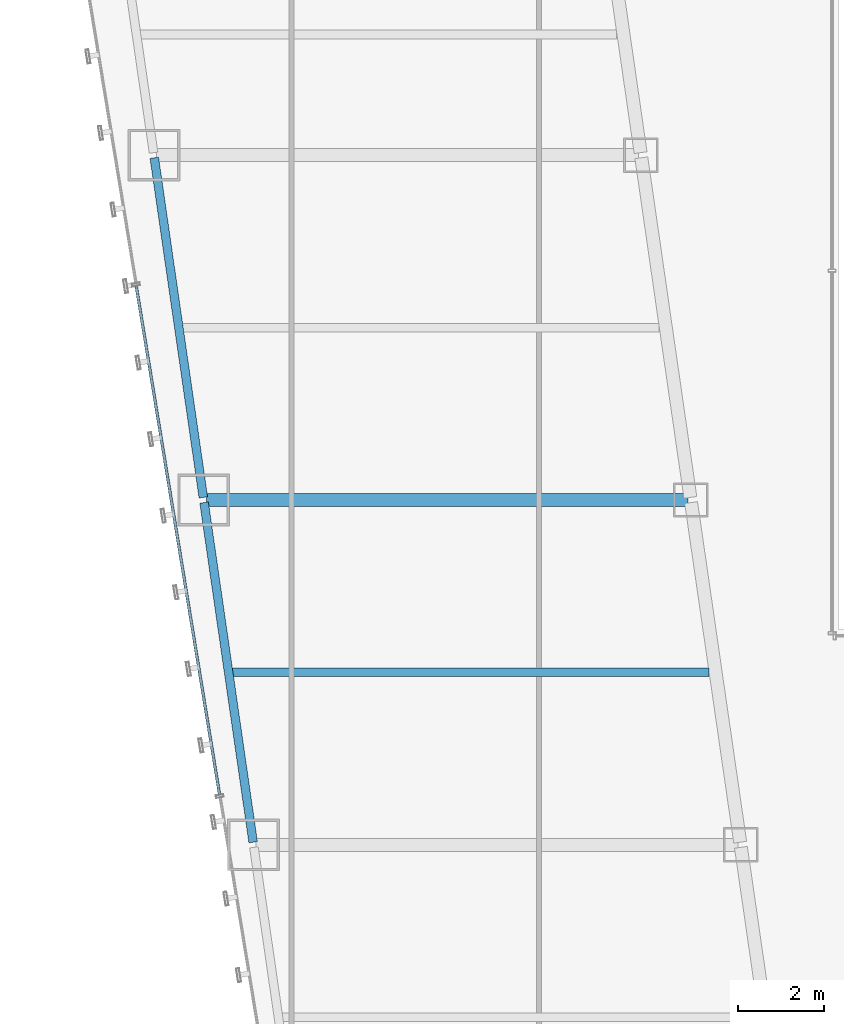
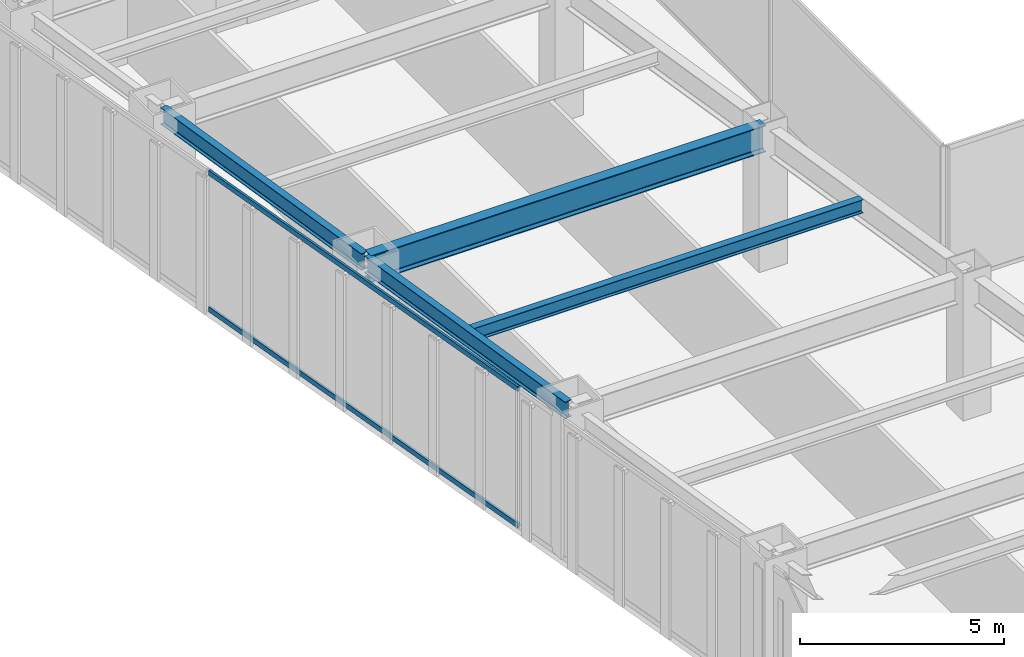
# One storey, part 10 of 47: 4 beams, 2 members, 1 element without a shape of its own.
"""IFC4 building model written with IfcOpenShell, lengths in metres."""

from ifc_helpers import new_model, si_unit, direction, frame, origin, origin_2d, place, context, subcontext, project, spatial, hollow_rectangle, i_section, extrude, material, material_profile, profile_set, type_object, element, aggregate, save


model = new_model("IFC4")

# Units and contexts
model_context = context("Model", 3, precision=1e-05, world=origin(), true_north=direction((0.0, 1.0)))
body_context = subcontext(model_context, "Body", "Model", "MODEL_VIEW")
ifc_project = project(units=[si_unit("LENGTHUNIT", "METRE"), si_unit("AREAUNIT", "SQUARE_METRE"), si_unit("VOLUMEUNIT", "CUBIC_METRE"), si_unit("PLANEANGLEUNIT", "RADIAN"), si_unit("MASSUNIT", "GRAM", prefix="KILO")], contexts=[model_context])

# Site, building, storey
site_placement = place(None, origin())
site = spatial("IfcSite", under=ifc_project, at=site_placement, CompositionType="ELEMENT")
building_placement = place(site_placement, origin())
building = spatial("IfcBuilding", under=site, at=building_placement, Name="Saevonmaru Cultural Tower", CompositionType="ELEMENT")
storey_placement = place(building_placement, frame((0.0, 0.0, 92.800048828125)))
storey = spatial("IfcBuildingStorey", under=building, at=storey_placement, Name="L19", CompositionType="ELEMENT", Elevation=92.800048828125)

# Beams
ifc_material_1 = material(Name="Steel SM420", Category="steel")
ifc_material_profile_1 = material_profile(ifc_material_1, i_section(OverallWidth=0.300048828125, OverallDepth=0.800048828125, WebThickness=0.013916015625, FlangeThickness=0.02587890625, FilletRadius=0.028076171875, at=origin_2d()), Name="H-800x300x14x26")
ifc_profile_set_1 = profile_set([ifc_material_profile_1], Name="Steel SM420")
beam_type_1 = type_object("IfcBeamType", Name="BM-G-H800", PredefinedType="BEAM", material=ifc_profile_set_1)
beam_1_placement = place(storey_placement, frame((9.531982421875, 24.0, 3.75), z_axis=(1.0, 0.0, 0.0), x_axis=(0.0, 1.0, 0.0)))
element("IfcBeam", 1, at=beam_1_placement, inside=storey, type_object=beam_type_1, Name="L19 West Wing Transverse Girder 4", PredefinedType="BEAM", context=body_context, shape_type="SweptSolid", body=[
    extrude(i_section(OverallWidth=0.300048828125, OverallDepth=0.800048828125, WebThickness=0.013916015625, FlangeThickness=0.02587890625, FilletRadius=0.028076171875, at=origin_2d()), origin(), (0.0, 0.0, 1.0), 11.179931640625),
])
ifc_material_2 = material(Name="Steel SM355", Category="steel")
ifc_material_profile_2 = material_profile(ifc_material_2, i_section(OverallWidth=0.199951171875, OverallDepth=0.39990234375, WebThickness=0.008056640625, FlangeThickness=0.012939453125, FilletRadius=0.01611328125, at=origin_2d()), Name="H-400x200x8x13")
ifc_profile_set_2 = profile_set([ifc_material_profile_2], Name="Steel SM355")
beam_type_2 = type_object("IfcBeamType", Name="BM-J-H400", PredefinedType="JOIST", material=ifc_profile_set_2)
beam_2_placement = place(storey_placement, frame((10.110107421875, 20.0, 3.949951171875), z_axis=(1.0, 0.0, 0.0), x_axis=(0.0, 1.0, 0.0)))
element("IfcBeam", 2, at=beam_2_placement, inside=storey, type_object=beam_type_2, Name="L19 West Wing Floor Joist 3", PredefinedType="JOIST", context=body_context, shape_type="SweptSolid", body=[
    extrude(i_section(OverallWidth=0.199951171875, OverallDepth=0.39990234375, WebThickness=0.008056640625, FlangeThickness=0.012939453125, FilletRadius=0.01611328125, at=origin_2d()), origin(), (0.0, 0.0, 1.0), 11.081787109375),
])
ifc_material_profile_3 = material_profile(ifc_material_2, i_section(OverallWidth=0.199951171875, OverallDepth=0.5, WebThickness=0.010009765625, FlangeThickness=0.01611328125, FilletRadius=0.02001953125, at=origin_2d()), Name="H-500x200x10x16")
ifc_profile_set_3 = profile_set([ifc_material_profile_3], Name="Steel SM355")
beam_type_3 = type_object("IfcBeamType", Name="BM-SP-H500", PredefinedType="SPANDREL", material=ifc_profile_set_3)
for number, where, z_axis, x_axis, name in (
    (3, (10.619384765625, 16.059326171875, 3.89990234375), (-0.142992129437, 0.989723825579, 0.0), (-0.989723825579, -0.142992129437, 0.0), "L19 West Splayed Spandrel 3"),
    (4, (9.46337890625, 24.059326171875, 3.89990234375), (-0.142871999001, 0.989741174197, 0.0), (-0.989741174197, -0.142871999001, 0.0), "L19 West Splayed Spandrel 4"),
):
    element("IfcBeam", number, at=place(storey_placement, frame(where, z_axis=z_axis, x_axis=x_axis)), inside=storey, type_object=beam_type_3, Name=name, PredefinedType="SPANDREL", context=body_context, shape_type="SweptSolid", body=[
        extrude(i_section(OverallWidth=0.199951171875, OverallDepth=0.5, WebThickness=0.010009765625, FlangeThickness=0.01611328125, FilletRadius=0.02001953125, at=origin_2d()), origin(), (0.0, 0.0, 1.0), 7.963134765625),
    ])

# Curtain wall, members
ifc_material_3 = material(Name="Satin Bronze Anodised Aluminium", Category="aluminium")
curtain_wall_type = type_object("IfcCurtainWallType", Name="CW-TYP-A", PredefinedType="NOTDEFINED", material=ifc_material_3)
curtain_wall_placement = place(storey_placement, origin())
curtain_wall = element("IfcCurtainWall", 5, at=curtain_wall_placement, inside=storey, type_object=curtain_wall_type, Name="L19 Unitised Curtain Wall E12", PredefinedType="NOTDEFINED")
ifc_material_profile_4 = material_profile(ifc_material_3, hollow_rectangle(XDim=0.06494140625, YDim=0.14990234375, WallThickness=0.00390625, at=origin_2d()), Name="ALU-TRAN-150x65x4")
ifc_profile_set_4 = profile_set([ifc_material_profile_4], Name="Satin Bronze Anodised Aluminium")
member_type = type_object("IfcMemberType", Name="TR-CW-150x65", PredefinedType="USERDEFINED", material=ifc_profile_set_4)
member_1_placement = place(storey_placement, frame((7.9052734375, 28.968017578125, 0.032470703125), z_axis=(0.161701400727, -0.986839732177, 0.0), x_axis=(0.986839732177, 0.161701400727, 0.0)))
member_1 = element("IfcMember", 6, at=member_1_placement, type_object=member_type, Name="CW-TW-L19-E12 transom 3.1", ObjectType="TRANSOM", PredefinedType="USERDEFINED", context=body_context, shape_type="SweptSolid", body=[
    extrude(hollow_rectangle(XDim=0.06494140625, YDim=0.14990234375, WallThickness=0.00390625, at=origin_2d()), origin(), (0.0, 0.0, 1.0), 11.9638671875),
])
member_2_placement = place(storey_placement, frame((7.9052734375, 28.968017578125, 4.117431640625), z_axis=(0.161701400727, -0.986839732177, 0.0), x_axis=(0.986839732177, 0.161701400727, 0.0)))
member_2 = element("IfcMember", 7, at=member_2_placement, type_object=member_type, Name="CW-TW-L19-E12 transom 3.2", ObjectType="TRANSOM", PredefinedType="USERDEFINED", context=body_context, shape_type="SweptSolid", body=[
    extrude(hollow_rectangle(XDim=0.06494140625, YDim=0.14990234375, WallThickness=0.00390625, at=origin_2d()), origin(), (0.0, 0.0, 1.0), 11.9638671875),
])
aggregate(curtain_wall, [member_1, member_2])

save(model, "model.ifc")
